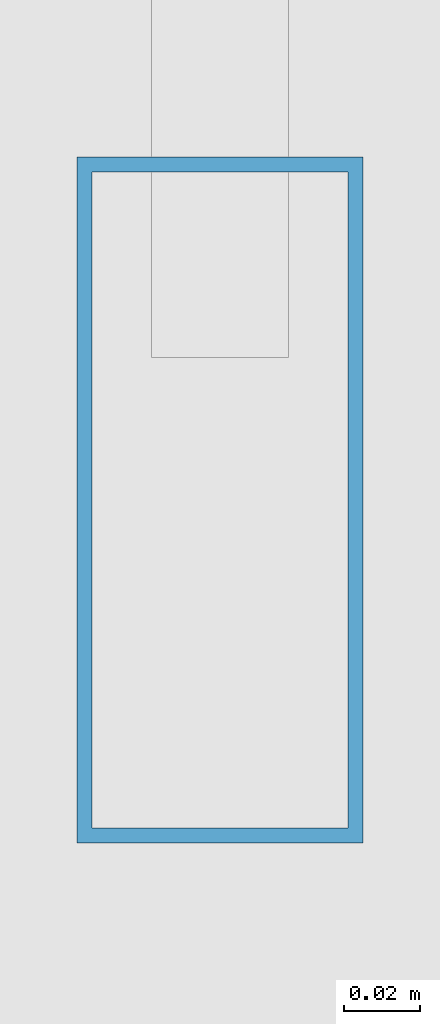
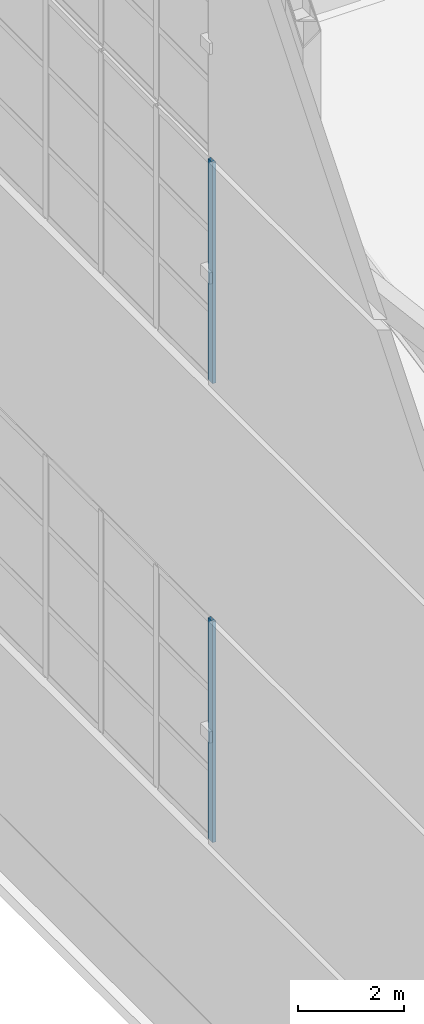
# One storey, part 2 of 47: 2 members, 2 elements without a shape of their own.
"""IFC4 building model written with IfcOpenShell, lengths in metres."""

from ifc_helpers import new_model, si_unit, direction, frame, origin, origin_2d, place, context, subcontext, project, spatial, hollow_rectangle, extrude, material, layer, layer_set, material_profile, profile_set, type_object, element, aggregate, save


model = new_model("IFC4")

# Units and contexts
model_context = context("Model", 3, precision=1e-05, world=origin(), true_north=direction((0.0, 1.0)))
body_context = subcontext(model_context, "Body", "Model", "MODEL_VIEW")
ifc_project = project(units=[si_unit("LENGTHUNIT", "METRE"), si_unit("AREAUNIT", "SQUARE_METRE"), si_unit("VOLUMEUNIT", "CUBIC_METRE"), si_unit("PLANEANGLEUNIT", "RADIAN"), si_unit("MASSUNIT", "GRAM", prefix="KILO")], contexts=[model_context])

# Site, building, storey
site_placement = place(None, origin())
site = spatial("IfcSite", under=ifc_project, at=site_placement, CompositionType="ELEMENT")
building_placement = place(site_placement, origin())
building = spatial("IfcBuilding", under=site, at=building_placement, Name="Qiaolan Cultural Towers", CompositionType="ELEMENT")
storey_placement = place(building_placement, frame((0.0, 0.0, 280.199951171875)))
storey = spatial("IfcBuildingStorey", under=building, at=storey_placement, Name="RF", CompositionType="ELEMENT", Elevation=280.199951171875)

# Curtain wall, member
ifc_material_1 = material(Name="Unitized Anodized Aluminium Curtain Wall System", Category="aluminium")
ifc_layer = layer(ifc_material_1, 0.199951171875)
ifc_layer_set = layer_set([ifc_layer], Name="Unitized Anodized Aluminium Curtain Wall System")
curtain_wall_type = type_object("IfcCurtainWallType", Name="CWS-06", PredefinedType="NOTDEFINED", material=ifc_layer_set)
curtain_wall_1_placement = place(storey_placement, origin())
curtain_wall_1 = element("IfcCurtainWall", 1, at=curtain_wall_1_placement, inside=storey, type_object=curtain_wall_type, Name="T1 Crown Tier 2 Fritted Screen Curtain Wall 7", PredefinedType="NOTDEFINED")
ifc_material_2 = material(Name="Extruded Aluminium 6063-T6", Category="aluminium")
ifc_material_profile = material_profile(ifc_material_2, hollow_rectangle(XDim=0.074951171875, YDim=0.179931640625, WallThickness=0.00390625, at=origin_2d()), Name="CWM-180x75x4")
ifc_profile_set = profile_set([ifc_material_profile], Name="Extruded Aluminium 6063-T6")
member_type = type_object("IfcMemberType", Name="CWS-06-MUL", PredefinedType="MULLION", material=ifc_profile_set)
member_1_placement = place(storey_placement, frame((14.949951171875, 27.767578125, 5.400146484375), z_axis=(0.0, 0.0, 1.0), x_axis=(1.0, 0.0, 0.0)))
member_1 = element("IfcMember", 2, at=member_1_placement, type_object=member_type, Name="CW-6 mullion 7", PredefinedType="MULLION", context=body_context, shape_type="SweptSolid", body=[
    extrude(hollow_rectangle(XDim=0.074951171875, YDim=0.179931640625, WallThickness=0.00390625, at=origin_2d()), origin(), (0.0, 0.0, 1.0), 5.099853515625),
])
aggregate(curtain_wall_1, [member_1])

curtain_wall_2_placement = place(storey_placement, origin())
curtain_wall_2 = element("IfcCurtainWall", 3, at=curtain_wall_2_placement, inside=storey, type_object=curtain_wall_type, Name="T1 Crown Tier 4 Fritted Screen Curtain Wall 7", PredefinedType="NOTDEFINED")
member_2_placement = place(storey_placement, frame((14.949951171875, 27.767578125, 16.0), z_axis=(0.0, 0.0, 1.0), x_axis=(1.0, 0.0, 0.0)))
member_2 = element("IfcMember", 4, at=member_2_placement, type_object=member_type, Name="CW-6 mullion 7", PredefinedType="MULLION", context=body_context, shape_type="SweptSolid", body=[
    extrude(hollow_rectangle(XDim=0.074951171875, YDim=0.179931640625, WallThickness=0.00390625, at=origin_2d()), origin(), (0.0, 0.0, 1.0), 5.10009765625),
])
aggregate(curtain_wall_2, [member_2])

save(model, "model.ifc")
